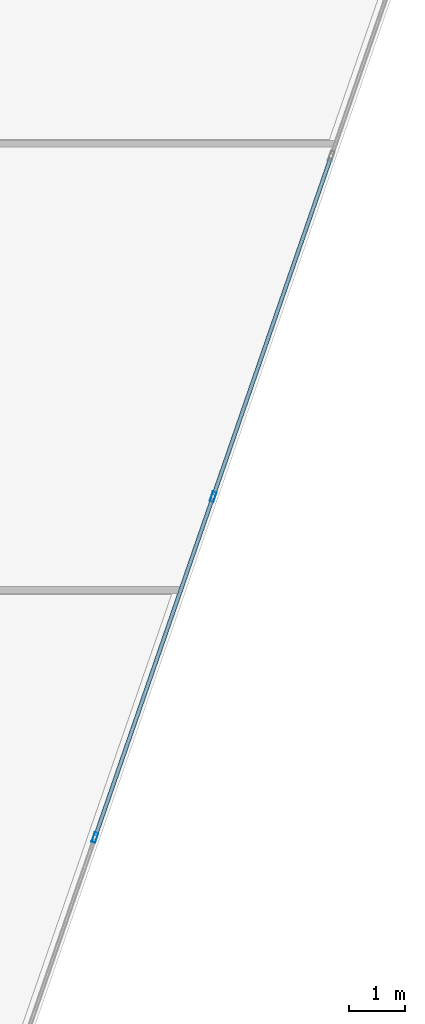
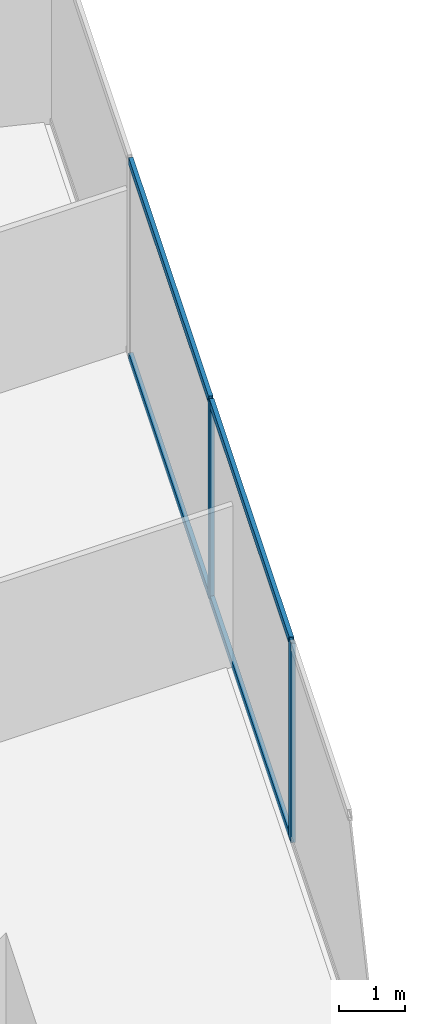
# One storey, part 13 of 28: 6 members, 1 element without a shape of its own.
"""IFC4 building model written with IfcOpenShell, lengths in metres."""

from ifc_helpers import new_model, si_unit, direction, frame, origin, origin_2d, place, context, subcontext, project, spatial, hollow_rectangle, extrude, source, transform, mapped, material, material_profile, profile_set, type_object, type_shapes, element, aggregate, save


model = new_model("IFC4")

# Units and contexts
model_context = context("Model", 3, precision=1e-05, world=origin(), true_north=direction((0.0, 1.0)))
body_context = subcontext(model_context, "Body", "Model", "MODEL_VIEW")
ifc_project = project(units=[si_unit("LENGTHUNIT", "METRE"), si_unit("AREAUNIT", "SQUARE_METRE"), si_unit("VOLUMEUNIT", "CUBIC_METRE"), si_unit("PLANEANGLEUNIT", "RADIAN"), si_unit("MASSUNIT", "GRAM", prefix="KILO")], contexts=[model_context])

# Site, building, storey
site_placement = place(None, origin())
site = spatial("IfcSite", under=ifc_project, at=site_placement, CompositionType="ELEMENT")
building_placement = place(site_placement, origin())
building = spatial("IfcBuilding", under=site, at=building_placement, Name="Krantzveldt Concourse Tower", CompositionType="ELEMENT")
storey_placement = place(building_placement, frame((0.0, 0.0, 117.699951171875)))
storey = spatial("IfcBuildingStorey", under=building, at=storey_placement, Name="L28", CompositionType="ELEMENT", Elevation=117.699951171875)

# Curtain wall, members
ifc_material = material(Name="Anodised aluminium 6063-T6", Category="aluminium")
curtain_wall_type = type_object("IfcCurtainWallType", Name="CW2", PredefinedType="USERDEFINED", material=ifc_material)
curtain_wall_placement = place(storey_placement, origin())
curtain_wall = element("IfcCurtainWall", 1, at=curtain_wall_placement, inside=storey, type_object=curtain_wall_type, Name="CW-L28-F07", ObjectType="UNITISED CURTAIN WALL", PredefinedType="USERDEFINED")
ifc_material_profile_1 = material_profile(ifc_material, hollow_rectangle(XDim=0.070068359375, YDim=0.179931640625, WallThickness=0.0048828125, at=origin_2d()), Name="Anodised aluminium 6063-T6", Category="aluminium")
ifc_profile_set_1 = profile_set([ifc_material_profile_1], Name="Anodised aluminium 6063-T6 - ALU-MULL 180x70x5")
member_type_1 = type_object("IfcMemberType", Name="CW-MUL-180", PredefinedType="MULLION", material=ifc_profile_set_1)
shared_shape_1 = source(origin(), body_context, "Body", "SweptSolid", [
    extrude(hollow_rectangle(XDim=0.070068359375, YDim=0.179931640625, WallThickness=0.0048828125, at=origin_2d()), origin(), (0.0, 0.0, 1.0), 3.670166015625),
])
type_shapes(member_type_1, [shared_shape_1])
member_1_placement = place(storey_placement, frame((58.0234375, 19.06298828125, 0.0), z_axis=(0.0, 0.0, 1.0), x_axis=(-0.944806041446, 0.32763019404, 0.0)))
member_1 = element("IfcMember", 2, at=member_1_placement, type_object=member_type_1, Name="CW-Z12 mullion 4", PredefinedType="MULLION", context=body_context, shape_type="MappedRepresentation", body=[
    mapped(shared_shape_1, transform((0.0, 0.0, 0.0), x_axis=(1.0, 0.0, 0.0), y_axis=(0.0, 1.0, 0.0), z_axis=(0.0, 0.0, 1.0), scale=1.0)),
])
member_2_placement = place(storey_placement, frame((60.14208984375, 25.172607421875, 0.0), z_axis=(0.0, 0.0, 1.0), x_axis=(-0.944806041446, 0.32763019404, 0.0)))
member_2 = element("IfcMember", 3, at=member_2_placement, type_object=member_type_1, Name="CW-Z12 mullion 5", PredefinedType="MULLION", context=body_context, shape_type="MappedRepresentation", body=[
    mapped(shared_shape_1, transform((0.0, 0.0, 0.0), x_axis=(1.0, 0.0, 0.0), y_axis=(0.0, 1.0, 0.0), z_axis=(0.0, 0.0, 1.0), scale=1.0)),
])
ifc_material_profile_2 = material_profile(ifc_material, hollow_rectangle(XDim=0.070068359375, YDim=0.139892578125, WallThickness=0.0048828125, at=origin_2d()), Name="Anodised aluminium 6063-T6", Category="aluminium")
ifc_profile_set_2 = profile_set([ifc_material_profile_2], Name="Anodised aluminium 6063-T6 - ALU-TRAN 140x70x5")
member_type_2 = type_object("IfcMemberType", Name="CW-TRN-150", PredefinedType="USERDEFINED", material=ifc_profile_set_2)
shared_shape_2 = source(origin(), body_context, "Body", "SweptSolid", [
    extrude(hollow_rectangle(XDim=0.070068359375, YDim=0.139892578125, WallThickness=0.0048828125, at=origin_2d()), origin(), (0.0, 0.0, 1.0), 6.396728515625),
])
member_3_placement = place(storey_placement, frame((58.034912109375, 19.095947265625, 0.03515625), z_axis=(0.327620443666, 0.944809422525, 0.0), x_axis=(-0.944809422525, 0.327620443666, 0.0)))
member_3 = element("IfcMember", 4, at=member_3_placement, type_object=member_type_2, Name="CW-Z12 transom 4.1", ObjectType="TRANSOM", PredefinedType="USERDEFINED", context=body_context, shape_type="MappedRepresentation", body=[
    mapped(shared_shape_2, transform((0.0, 0.0, 0.0), x_axis=(1.0, 0.0, 0.0), y_axis=(0.0, 1.0, 0.0), z_axis=(0.0, 0.0, 1.0), scale=1.0)),
])
member_4_placement = place(storey_placement, frame((58.034912109375, 19.095947265625, 3.635009765625), z_axis=(0.327620443666, 0.944809422525, 0.0), x_axis=(-0.944809422525, 0.327620443666, 0.0)))
member_4 = element("IfcMember", 5, at=member_4_placement, type_object=member_type_2, Name="CW-Z12 transom 4.2", ObjectType="TRANSOM", PredefinedType="USERDEFINED", context=body_context, shape_type="MappedRepresentation", body=[
    mapped(shared_shape_2, transform((0.0, 0.0, 0.0), x_axis=(1.0, 0.0, 0.0), y_axis=(0.0, 1.0, 0.0), z_axis=(0.0, 0.0, 1.0), scale=1.0)),
])
shared_shape_3 = source(origin(), body_context, "Body", "SweptSolid", [
    extrude(hollow_rectangle(XDim=0.070068359375, YDim=0.139892578125, WallThickness=0.0048828125, at=origin_2d()), origin(), (0.0, 0.0, 1.0), 6.396484375),
])
type_shapes(member_type_2, [shared_shape_2, shared_shape_3])
member_5_placement = place(storey_placement, frame((60.153564453125, 25.205810546875, 0.03515625), z_axis=(0.327632258054, 0.944805325706, 0.0), x_axis=(-0.944805325706, 0.327632258054, 0.0)))
member_5 = element("IfcMember", 6, at=member_5_placement, type_object=member_type_2, Name="CW-Z12 transom 5.1", ObjectType="TRANSOM", PredefinedType="USERDEFINED", context=body_context, shape_type="MappedRepresentation", body=[
    mapped(shared_shape_3, transform((0.0, 0.0, 0.0), x_axis=(1.0, 0.0, 0.0), y_axis=(0.0, 1.0, 0.0), z_axis=(0.0, 0.0, 1.0), scale=1.0)),
])
member_6_placement = place(storey_placement, frame((60.153564453125, 25.205810546875, 3.635009765625), z_axis=(0.327632258054, 0.944805325706, 0.0), x_axis=(-0.944805325706, 0.327632258054, 0.0)))
member_6 = element("IfcMember", 7, at=member_6_placement, type_object=member_type_2, Name="CW-Z12 transom 5.2", ObjectType="TRANSOM", PredefinedType="USERDEFINED", context=body_context, shape_type="MappedRepresentation", body=[
    mapped(shared_shape_3, transform((0.0, 0.0, 0.0), x_axis=(1.0, 0.0, 0.0), y_axis=(0.0, 1.0, 0.0), z_axis=(0.0, 0.0, 1.0), scale=1.0)),
])
aggregate(curtain_wall, [member_1, member_2, member_3, member_4, member_5, member_6])

save(model, "model.ifc")
